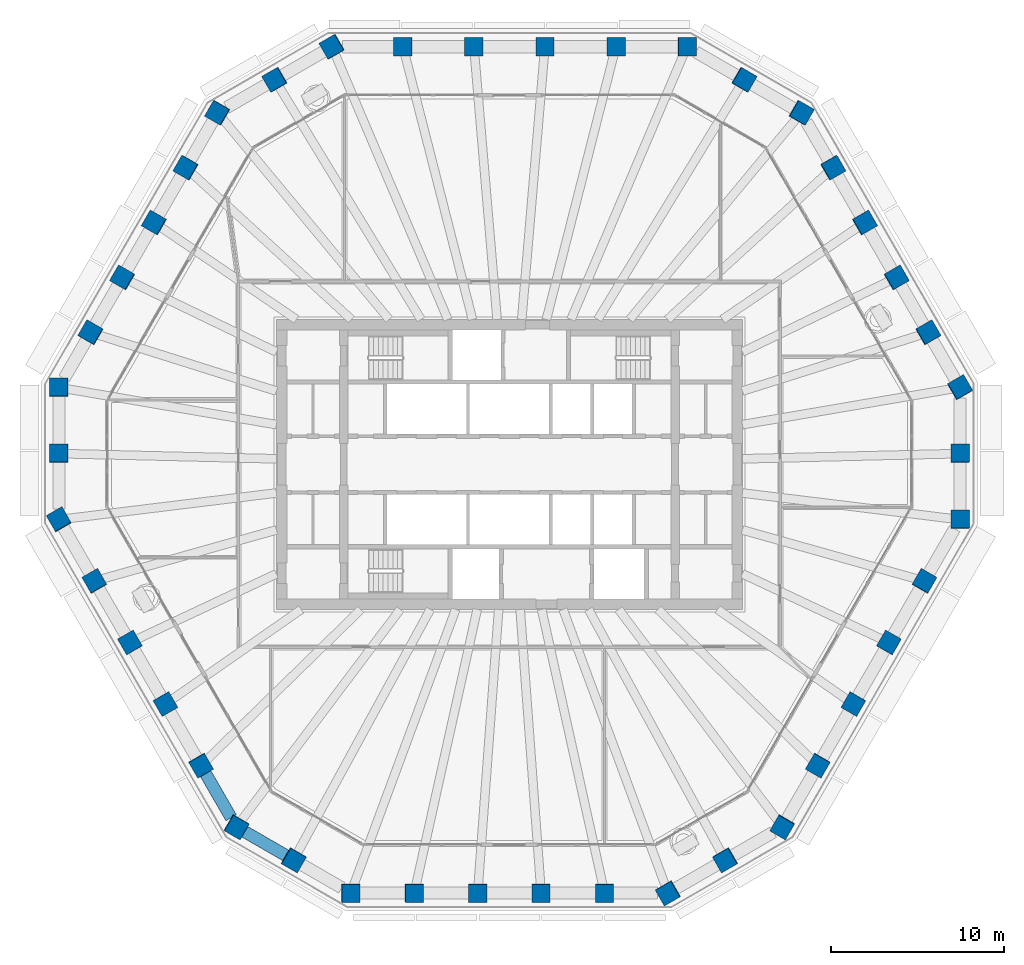
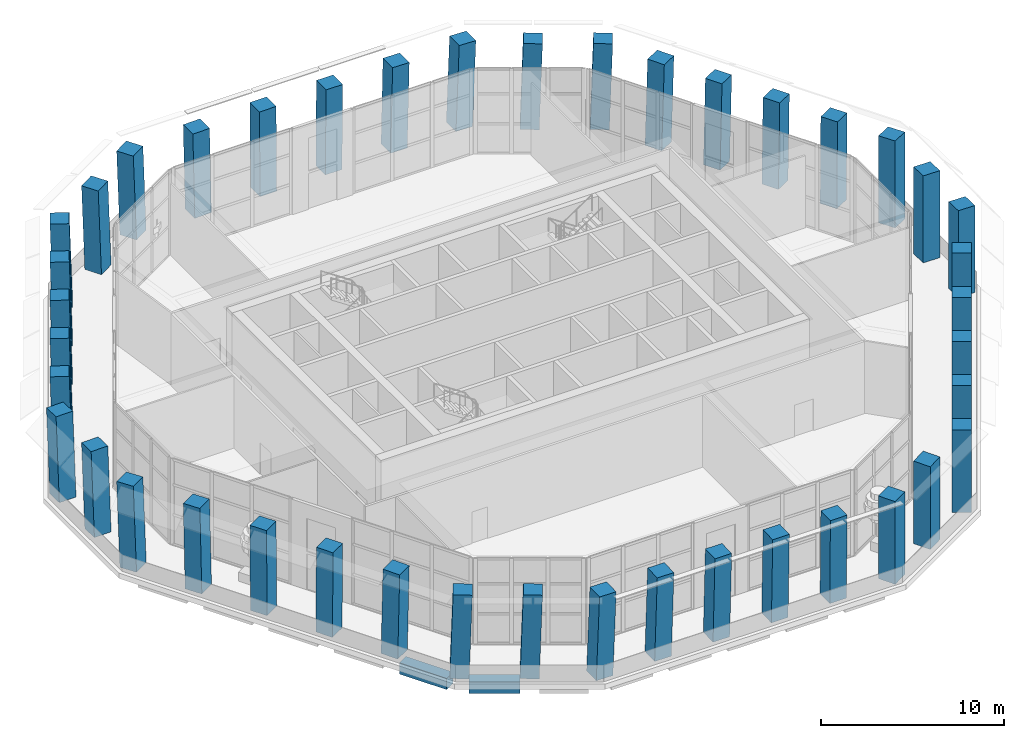
# One storey, part 1 of 19: 42 columns, 2 beams.
"""IFC4 building model written with IfcOpenShell, lengths in metres."""

from ifc_helpers import new_model, si_unit, direction, frame, origin, origin_2d, place, context, subcontext, project, spatial, rectangle, extrude, material, material_profile, profile_set, type_object, element, save


model = new_model("IFC4")

# Units and contexts
model_context = context("Model", 3, precision=1e-05, world=origin(), true_north=direction((0.0, 1.0)))
body_context = subcontext(model_context, "Body", "Model", "MODEL_VIEW")
ifc_project = project(units=[si_unit("LENGTHUNIT", "METRE"), si_unit("AREAUNIT", "SQUARE_METRE"), si_unit("VOLUMEUNIT", "CUBIC_METRE"), si_unit("PLANEANGLEUNIT", "RADIAN"), si_unit("MASSUNIT", "GRAM", prefix="KILO")], contexts=[model_context])

# Site, building, storey
site_placement = place(None, origin())
site = spatial("IfcSite", under=ifc_project, at=site_placement, CompositionType="ELEMENT")
building_placement = place(site_placement, origin())
building = spatial("IfcBuilding", under=site, at=building_placement, Name="Frailejon Research Tower", CompositionType="ELEMENT")
storey_placement = place(building_placement, frame((0.0, 0.0, 231.39990234375)))
storey = spatial("IfcBuildingStorey", under=building, at=storey_placement, Name="L50", CompositionType="ELEMENT", Elevation=231.39990234375)

# Columns
ifc_material_1 = material(Name="Concrete C60/75", Category="concrete")
ifc_material_profile_1 = material_profile(ifc_material_1, rectangle(XDim=1.050048828125, YDim=1.050048828125, at=origin_2d()), Name="Column 1050")
ifc_profile_set_1 = profile_set([ifc_material_profile_1], Name="Concrete C60/75")
column_type = type_object("IfcColumnType", Name="Column 1050", PredefinedType="COLUMN", material=ifc_profile_set_1)
for number, where, z_axis, x_axis, name in (
    (1, (26.097412109375, -3.1982421875, 0.0), (0.018092913518, 0.031435897473, 0.999341998933), (-0.001569610687, 0.999505269564, -0.031412615882), "Column C01"),
    (2, (26.097412109375, 0.62841796875, 0.0), (0.018092913518, 0.031435897473, 0.999341998933), (-0.001569610687, 0.999505269564, -0.031412615882), "Column C02"),
    (3, (26.097412109375, 4.455078125, 0.0), (0.018092913518, 0.031435897473, 0.999341998933), (-0.501276861629, 0.865096838589, -0.018137471091), "Column C03"),
):
    element("IfcColumn", number, at=place(storey_placement, frame(where, z_axis=z_axis, x_axis=x_axis)), inside=storey, type_object=column_type, Name=name, PredefinedType="COLUMN", context=body_context, shape_type="SweptSolid", body=[
        extrude(rectangle(XDim=1.050048828125, YDim=1.050048828125, at=origin_2d()), origin(), (0.0, 0.0, 1.0), 5.65380859375),
    ])
column_1_placement = place(storey_placement, frame((24.25927734375, 7.638916015625, 0.0), z_axis=(0.02176560282, 0.025134088971, 0.999447115212), x_axis=(-0.500627752261, 0.865594475031, -0.010865471085)))
element("IfcColumn", 4, at=column_1_placement, inside=storey, type_object=column_type, Name="Column C04", PredefinedType="COLUMN", context=body_context, shape_type="SweptSolid", body=[
    extrude(rectangle(XDim=1.050048828125, YDim=1.050048828125, at=origin_2d()), origin(), (0.0, 0.0, 1.0), 5.6533203125),
])
for number, where, z_axis, x_axis, name in (
    (5, (22.421142578125, 10.822509765625, 0.0), (0.025394550746, 0.018829973002, 0.999500149529), (-0.499743794065, 0.866165705422, -0.003620917628), "Column C05"),
    (6, (20.5830078125, 14.006103515625, 0.0), (0.029022332207, 0.012567706357, 0.999499753372), (-0.500043048186, 0.865992937659, 0.003630686753), "Column C06"),
):
    element("IfcColumn", number, at=place(storey_placement, frame(where, z_axis=z_axis, x_axis=x_axis)), inside=storey, type_object=column_type, Name=name, PredefinedType="COLUMN", context=body_context, shape_type="SweptSolid", body=[
        extrude(rectangle(XDim=1.050048828125, YDim=1.050048828125, at=origin_2d()), origin(), (0.0, 0.0, 1.0), 5.653076171875),
    ])
column_2_placement = place(storey_placement, frame((18.7451171875, 17.189697265625, 0.0), z_axis=(0.03264840968, 0.006261930428, 0.999447282038), x_axis=(-0.499216344669, 0.866409073915, 0.010879239548)))
element("IfcColumn", 7, at=column_2_placement, inside=storey, type_object=column_type, Name="Column C07", PredefinedType="COLUMN", context=body_context, shape_type="SweptSolid", body=[
    extrude(rectangle(XDim=1.050048828125, YDim=1.050048828125, at=origin_2d()), origin(), (0.0, 0.0, 1.0), 5.6533203125),
])
for number, where, z_axis, x_axis, name in (
    (8, (16.906982421875, 20.373291015625, 0.0), (0.036272187532, 0.0, 0.999341947689), (-0.865313328016, 0.500246354177, 0.03140747507), "Column C08"),
    (9, (13.593017578125, 22.28662109375, 0.0), (0.036272187532, 0.0, 0.999341947689), (-0.865313328016, 0.500246354177, 0.03140747507), "Column C09"),
    (10, (10.27880859375, 24.199951171875, 0.0), (0.036272187532, 0.0, 0.999341947689), (-0.999341947689, 0.0, 0.036272187532), "Column C10"),
):
    element("IfcColumn", number, at=place(storey_placement, frame(where, z_axis=z_axis, x_axis=x_axis)), inside=storey, type_object=column_type, Name=name, PredefinedType="COLUMN", context=body_context, shape_type="SweptSolid", body=[
        extrude(rectangle(XDim=1.050048828125, YDim=1.050048828125, at=origin_2d()), origin(), (0.0, 0.0, 1.0), 5.65380859375),
    ])
column_3_placement = place(storey_placement, frame((6.16748046875, 24.199951171875, 0.0), z_axis=(0.021729302039, 0.0, 0.999763890843), x_axis=(-0.999763890843, 0.0, 0.021729302039)))
element("IfcColumn", 11, at=column_3_placement, inside=storey, type_object=column_type, Name="Column C11", PredefinedType="COLUMN", context=body_context, shape_type="SweptSolid", body=[
    extrude(rectangle(XDim=1.050048828125, YDim=1.050048828125, at=origin_2d()), origin(), (0.0, 0.0, 1.0), 5.6513671875),
])
for number, where, z_axis, x_axis, name in (
    (12, (2.055908203125, 24.199951171875, 0.0), (0.007215816976, 0.0, 0.999973965654), (-0.999973965654, 0.0, 0.007215816976), "Column C12"),
    (13, (-2.055908203125, 24.199951171875, 0.0), (-0.007215816976, 0.0, 0.999973965654), (-0.999973965654, 0.0, -0.007215816976), "Column C13"),
):
    element("IfcColumn", number, at=place(storey_placement, frame(where, z_axis=z_axis, x_axis=x_axis)), inside=storey, type_object=column_type, Name=name, PredefinedType="COLUMN", context=body_context, shape_type="SweptSolid", body=[
        extrude(rectangle(XDim=1.050048828125, YDim=1.050048828125, at=origin_2d()), origin(), (0.0, 0.0, 1.0), 5.650390625),
    ])
column_4_placement = place(storey_placement, frame((-6.16748046875, 24.199951171875, 0.0), z_axis=(-0.021729302039, 0.0, 0.999763890843), x_axis=(-0.999763890843, 0.0, -0.021729302039)))
element("IfcColumn", 14, at=column_4_placement, inside=storey, type_object=column_type, Name="Column C14", PredefinedType="COLUMN", context=body_context, shape_type="SweptSolid", body=[
    extrude(rectangle(XDim=1.050048828125, YDim=1.050048828125, at=origin_2d()), origin(), (0.0, 0.0, 1.0), 5.6513671875),
])
for number, where, z_axis, x_axis, name in (
    (15, (-10.27880859375, 24.199951171875, 0.0), (-0.036272187532, 0.0, 0.999341947689), (-0.865313328016, -0.500246354177, -0.03140747507), "Column C15"),
    (16, (-13.593017578125, 22.28662109375, 0.0), (-0.036272187532, 0.0, 0.999341947689), (-0.865313328016, -0.500246354177, -0.03140747507), "Column C16"),
    (17, (-16.906982421875, 20.373291015625, 0.0), (-0.036272187532, 0.0, 0.999341947689), (-0.499424741341, -0.866167613071, -0.018127156493), "Column C17"),
):
    element("IfcColumn", number, at=place(storey_placement, frame(where, z_axis=z_axis, x_axis=x_axis)), inside=storey, type_object=column_type, Name=name, PredefinedType="COLUMN", context=body_context, shape_type="SweptSolid", body=[
        extrude(rectangle(XDim=1.050048828125, YDim=1.050048828125, at=origin_2d()), origin(), (0.0, 0.0, 1.0), 5.65380859375),
    ])
column_5_placement = place(storey_placement, frame((-18.7451171875, 17.189697265625, 0.0), z_axis=(-0.03264840968, 0.006261930428, 0.999447282038), x_axis=(-0.499216344669, -0.866409073915, -0.010879239548)))
element("IfcColumn", 18, at=column_5_placement, inside=storey, type_object=column_type, Name="Column C18", PredefinedType="COLUMN", context=body_context, shape_type="SweptSolid", body=[
    extrude(rectangle(XDim=1.050048828125, YDim=1.050048828125, at=origin_2d()), origin(), (0.0, 0.0, 1.0), 5.6533203125),
])
for number, where, z_axis, x_axis, name in (
    (19, (-20.5830078125, 14.006103515625, 0.0), (-0.029022332207, 0.012567706357, 0.999499753372), (-0.500043048186, -0.865992937659, -0.003630686753), "Column C19"),
    (20, (-22.421142578125, 10.822509765625, 0.0), (-0.025394550746, 0.018829973002, 0.999500149529), (-0.499743794065, -0.866165705422, 0.003620917628), "Column C20"),
):
    element("IfcColumn", number, at=place(storey_placement, frame(where, z_axis=z_axis, x_axis=x_axis)), inside=storey, type_object=column_type, Name=name, PredefinedType="COLUMN", context=body_context, shape_type="SweptSolid", body=[
        extrude(rectangle(XDim=1.050048828125, YDim=1.050048828125, at=origin_2d()), origin(), (0.0, 0.0, 1.0), 5.653076171875),
    ])
column_6_placement = place(storey_placement, frame((-24.25927734375, 7.638916015625, 0.0), z_axis=(-0.02176560282, 0.025134088971, 0.999447115212), x_axis=(-0.500627752261, -0.865594475031, 0.010865471085)))
element("IfcColumn", 21, at=column_6_placement, inside=storey, type_object=column_type, Name="Column C21", PredefinedType="COLUMN", context=body_context, shape_type="SweptSolid", body=[
    extrude(rectangle(XDim=1.050048828125, YDim=1.050048828125, at=origin_2d()), origin(), (0.0, 0.0, 1.0), 5.6533203125),
])
for number, where, z_axis, x_axis, name in (
    (22, (-26.097412109375, 4.455078125, 0.0), (-0.018092913518, 0.031435897473, 0.999341998933), (-0.001569610687, -0.999505269564, 0.031412615882), "Column C22"),
    (23, (-26.097412109375, 0.62841796875, 0.0), (-0.018092913518, 0.031435897473, 0.999341998933), (-0.001569610687, -0.999505269564, 0.031412615882), "Column C23"),
    (24, (-26.097412109375, -3.1982421875, 0.0), (-0.018092913518, 0.031435897473, 0.999341998933), (0.498804753043, -0.865955108152, 0.036270773463), "Column C24"),
):
    element("IfcColumn", number, at=place(storey_placement, frame(where, z_axis=z_axis, x_axis=x_axis)), inside=storey, type_object=column_type, Name=name, PredefinedType="COLUMN", context=body_context, shape_type="SweptSolid", body=[
        extrude(rectangle(XDim=1.050048828125, YDim=1.050048828125, at=origin_2d()), origin(), (0.0, 0.0, 1.0), 5.65380859375),
    ])
column_7_placement = place(storey_placement, frame((-24.04150390625, -6.7587890625, 0.0), z_axis=(-0.01088624472, 0.018834931341, 0.999763339515), x_axis=(0.500282432797, -0.865588945443, 0.021754653817)))
element("IfcColumn", 25, at=column_7_placement, inside=storey, type_object=column_type, Name="Column C25", PredefinedType="COLUMN", context=body_context, shape_type="SweptSolid", body=[
    extrude(rectangle(XDim=1.050048828125, YDim=1.050048828125, at=origin_2d()), origin(), (0.0, 0.0, 1.0), 5.6513671875),
])
for number, where, z_axis, x_axis, name in (
    (26, (-21.985595703125, -10.319580078125, 0.0), (-0.00362951208, 0.006265229185, 0.999973786429), (0.500675288909, -0.865604891764, 0.007240609842), "Column C26"),
    (27, (-19.929931640625, -13.88037109375, 0.0), (0.003629511094, -0.006308435949, 0.999973514792), (0.499821213075, -0.866098022938, -0.007278023301), "Column C27"),
):
    element("IfcColumn", number, at=place(storey_placement, frame(where, z_axis=z_axis, x_axis=x_axis)), inside=storey, type_object=column_type, Name=name, PredefinedType="COLUMN", context=body_context, shape_type="SweptSolid", body=[
        extrude(rectangle(XDim=1.050048828125, YDim=1.050048828125, at=origin_2d()), origin(), (0.0, 0.0, 1.0), 5.650390625),
    ])
column_8_placement = place(storey_placement, frame((-17.8740234375, -17.441162109375, 0.0), z_axis=(0.01088624472, -0.018834931341, 0.999763339515), x_axis=(0.500282432797, -0.865588945443, -0.021754653817)))
element("IfcColumn", 28, at=column_8_placement, inside=storey, type_object=column_type, Name="Column C28", PredefinedType="COLUMN", context=body_context, shape_type="SweptSolid", body=[
    extrude(rectangle(XDim=1.050048828125, YDim=1.050048828125, at=origin_2d()), origin(), (0.0, 0.0, 1.0), 5.6513671875),
])
for number, where, z_axis, x_axis, name in (
    (29, (-15.818359375, -21.001708984375, 0.0), (0.01813608051, -0.031435872884, 0.999341217243), (0.865699665651, -0.499576333541, -0.031425719673), "Column C29"),
    (30, (-12.50439453125, -22.915283203125, 0.0), (0.018136105112, -0.031392734324, 0.999342572856), (0.866081159362, -0.498916898753, -0.031390341456), "Column C30"),
    (31, (-9.190185546875, -24.82861328125, 0.0), (0.018092938061, -0.03139275888, 0.999343354549), (0.999835987681, -0.000233734321, -0.018109199485), "Column C31"),
):
    element("IfcColumn", number, at=place(storey_placement, frame(where, z_axis=z_axis, x_axis=x_axis)), inside=storey, type_object=column_type, Name=name, PredefinedType="COLUMN", context=body_context, shape_type="SweptSolid", body=[
        extrude(rectangle(XDim=1.050048828125, YDim=1.050048828125, at=origin_2d()), origin(), (0.0, 0.0, 1.0), 5.65380859375),
    ])
column_9_placement = place(storey_placement, frame((-5.51416015625, -24.82861328125, 0.0), z_axis=(0.010882808585, -0.031396039052, 0.999447774128), x_axis=(0.999940718596, 0.000693356673, -0.010866395488)))
element("IfcColumn", 32, at=column_9_placement, inside=storey, type_object=column_type, Name="Column C32", PredefinedType="COLUMN", context=body_context, shape_type="SweptSolid", body=[
    extrude(rectangle(XDim=1.050048828125, YDim=1.050048828125, at=origin_2d()), origin(), (0.0, 0.0, 1.0), 5.6533203125),
])
for number, where, z_axis, x_axis, name in (
    (33, (-1.838134765625, -24.82861328125, 0.0), (0.003627793827, -0.031397691808, 0.999500387224), (0.999993418548, 6.9502522e-05, -0.003627400027), "Column C33"),
    (34, (1.838134765625, -24.82861328125, 0.0), (-0.003627793827, -0.031397691808, 0.999500387224), (0.999993418548, -6.9502522e-05, 0.003627400027), "Column C34"),
):
    element("IfcColumn", number, at=place(storey_placement, frame(where, z_axis=z_axis, x_axis=x_axis)), inside=storey, type_object=column_type, Name=name, PredefinedType="COLUMN", context=body_context, shape_type="SweptSolid", body=[
        extrude(rectangle(XDim=1.050048828125, YDim=1.050048828125, at=origin_2d()), origin(), (0.0, 0.0, 1.0), 5.653076171875),
    ])
column_10_placement = place(storey_placement, frame((5.51416015625, -24.82861328125, 0.0), z_axis=(-0.010882808585, -0.031396039052, 0.999447774128), x_axis=(0.999940718596, -0.000693356673, 0.010866395488)))
element("IfcColumn", 35, at=column_10_placement, inside=storey, type_object=column_type, Name="Column C35", PredefinedType="COLUMN", context=body_context, shape_type="SweptSolid", body=[
    extrude(rectangle(XDim=1.050048828125, YDim=1.050048828125, at=origin_2d()), origin(), (0.0, 0.0, 1.0), 5.6533203125),
])
for number, where, z_axis, x_axis, name in (
    (36, (9.190185546875, -24.82861328125, 0.0), (-0.018092938061, -0.03139275888, 0.999343354549), (0.865482325663, 0.499955969136, 0.031374717367), "Column C36"),
    (37, (12.50439453125, -22.915283203125, 0.0), (-0.018136105112, -0.031392734324, 0.999342572856), (0.866081159362, 0.498916898753, 0.031390341456), "Column C37"),
    (38, (15.818359375, -21.001708984375, 0.0), (-0.01813608051, -0.031435872884, 0.999341217243), (0.499352426365, 0.865638505824, 0.036292306586), "Column C38"),
):
    element("IfcColumn", number, at=place(storey_placement, frame(where, z_axis=z_axis, x_axis=x_axis)), inside=storey, type_object=column_type, Name=name, PredefinedType="COLUMN", context=body_context, shape_type="SweptSolid", body=[
        extrude(rectangle(XDim=1.050048828125, YDim=1.050048828125, at=origin_2d()), origin(), (0.0, 0.0, 1.0), 5.65380859375),
    ])
column_11_placement = place(storey_placement, frame((17.8740234375, -17.441162109375, 0.0), z_axis=(-0.01088624472, -0.018834931341, 0.999763339515), x_axis=(0.500282432797, 0.865588945443, 0.021754653817)))
element("IfcColumn", 39, at=column_11_placement, inside=storey, type_object=column_type, Name="Column C39", PredefinedType="COLUMN", context=body_context, shape_type="SweptSolid", body=[
    extrude(rectangle(XDim=1.050048828125, YDim=1.050048828125, at=origin_2d()), origin(), (0.0, 0.0, 1.0), 5.6513671875),
])
for number, where, z_axis, x_axis, name in (
    (40, (19.929931640625, -13.88037109375, 0.0), (-0.003629511094, -0.006308435949, 0.999973514792), (0.499821213075, 0.866098022938, 0.007278023301), "Column C40"),
    (41, (21.985595703125, -10.319580078125, 0.0), (0.00362951208, 0.006265229185, 0.999973786429), (0.500675288909, 0.865604891764, -0.007240609842), "Column C41"),
):
    element("IfcColumn", number, at=place(storey_placement, frame(where, z_axis=z_axis, x_axis=x_axis)), inside=storey, type_object=column_type, Name=name, PredefinedType="COLUMN", context=body_context, shape_type="SweptSolid", body=[
        extrude(rectangle(XDim=1.050048828125, YDim=1.050048828125, at=origin_2d()), origin(), (0.0, 0.0, 1.0), 5.650390625),
    ])
column_12_placement = place(storey_placement, frame((24.04150390625, -6.7587890625, 0.0), z_axis=(0.01088624472, 0.018834931341, 0.999763339515), x_axis=(0.500282432797, 0.865588945443, -0.021754653817)))
element("IfcColumn", 42, at=column_12_placement, inside=storey, type_object=column_type, Name="Column C42", PredefinedType="COLUMN", context=body_context, shape_type="SweptSolid", body=[
    extrude(rectangle(XDim=1.050048828125, YDim=1.050048828125, at=origin_2d()), origin(), (0.0, 0.0, 1.0), 5.6513671875),
])

# Beams
ifc_material_2 = material(Name="Concrete C60/75", Category="concrete")
ifc_material_profile_2 = material_profile(ifc_material_2, rectangle(XDim=0.699951171875, YDim=0.75, at=origin_2d()), Name="Spandrel 700x750")
ifc_profile_set_2 = profile_set([ifc_material_profile_2], Name="Concrete C60/75")
beam_type = type_object("IfcBeamType", Name="Spandrel 700x750", PredefinedType="BEAM", material=ifc_profile_set_2)
beam_1_placement = place(storey_placement, frame((-17.611572265625, -17.895751953125, -0.724853515625), z_axis=(0.499954101135, -0.866051901885, 0.0), x_axis=(0.866051901885, 0.499954101135, 0.0)))
element("IfcBeam", 43, at=beam_1_placement, inside=storey, type_object=beam_type, Name="Spandrel 700x750", PredefinedType="BEAM", context=body_context, shape_type="SweptSolid", body=[
    extrude(rectangle(XDim=0.699951171875, YDim=0.75, at=origin_2d()), origin(), (0.0, 0.0, 1.0), 2.980224609375),
])
beam_2_placement = place(storey_placement, frame((-15.36376953125, -21.264404296875, -0.724853515625), z_axis=(0.866059672834, -0.499940639567, 0.0), x_axis=(0.499940639567, 0.866059672834, 0.0)))
element("IfcBeam", 44, at=beam_2_placement, inside=storey, type_object=beam_type, Name="Spandrel 700x750", PredefinedType="BEAM", context=body_context, shape_type="SweptSolid", body=[
    extrude(rectangle(XDim=0.699951171875, YDim=0.75, at=origin_2d()), origin(), (0.0, 0.0, 1.0), 2.776611328125),
])

save(model, "model.ifc")
